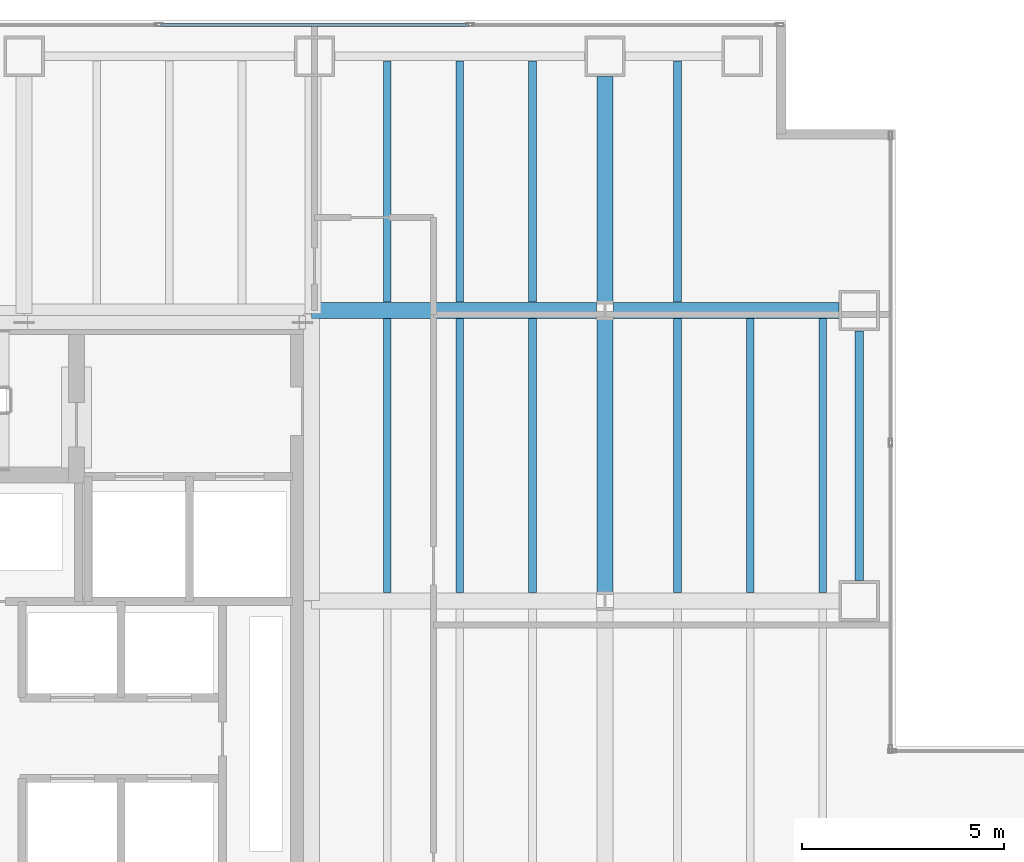
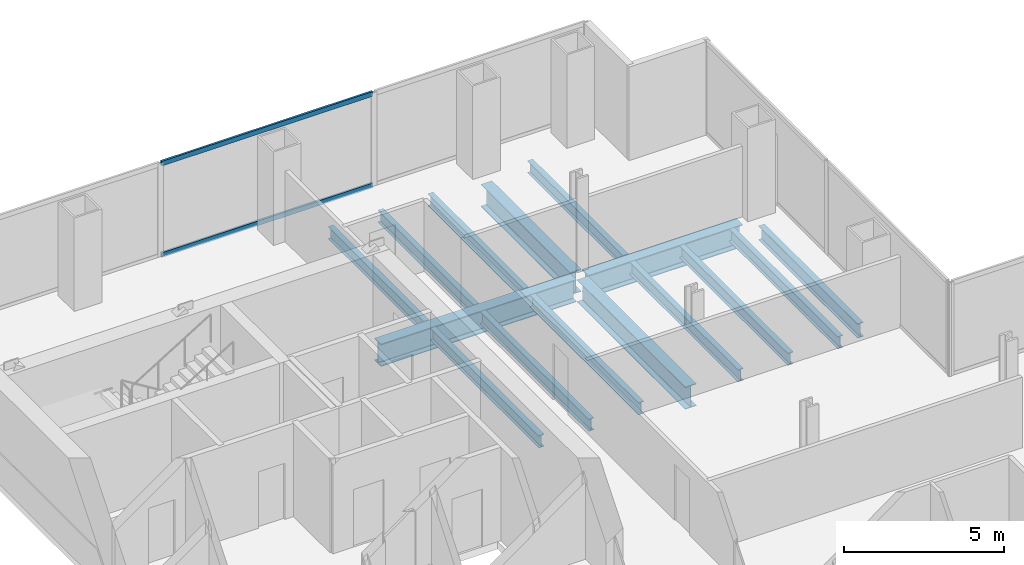
# One storey, part 17 of 25: 15 beams, 2 members, 1 element without a shape of its own.
"""IFC4 building model written with IfcOpenShell, lengths in metres."""

import ifcopenshell
import ifcopenshell.guid

model = None  # the IFC model being written
_history = None  # IfcOwnerHistory: only IFC2X3 demands one
_inside = {}  # id of a spatial element -> (the spatial element, [elements in it])
_under = {}  # id of a project, library or spatial element -> (it, [spatial elements below it])
_declared = {}  # id of a project -> (the project, [libraries it declares])
_typed = {}  # id of a type object -> (the type object, [elements of that type])
_made_of = {}  # id of a material, layer set ... -> (it, [elements and type objects made of it])


def new_model(schema):
    """Start an empty IFC model of exactly this schema.

    Asked for "IFC4X3", IfcOpenShell would pick the latest addendum, in which some entities
    have other attributes; the version numbers below select the first issue.
    IFC2X3 requires an IfcOwnerHistory on every rooted entity: one is made here for all.
    """
    global model, _history
    if schema == "IFC4X3":
        model = ifcopenshell.file(schema_version=(4, 3, 0, 0))
    else:
        model = ifcopenshell.file(schema=schema)
    _inside.clear()
    _under.clear()
    _declared.clear()
    _typed.clear()
    _made_of.clear()
    _history = None
    if model.schema == "IFC2X3":
        org = make("IfcOrganization", Name="unknown")
        user = make(
            "IfcPersonAndOrganization",
            ThePerson=make("IfcPerson", FamilyName="unknown"),
            TheOrganization=org,
        )
        app = make(
            "IfcApplication",
            ApplicationDeveloper=org,
            Version="unknown",
            ApplicationFullName="unknown",
            ApplicationIdentifier="unknown",
        )
        _history = make(
            "IfcOwnerHistory",
            OwningUser=user,
            OwningApplication=app,
            ChangeAction="ADDED",
            CreationDate=0,
        )
    return model


def make(cls, **values):
    """One entity of the class cls with the attributes given. An attribute that is None is left unset."""
    return model.create_entity(
        cls, **{name: value for name, value in values.items() if value is not None}
    )


def rooted(cls, **values):
    """An entity with a GlobalId (a new one), such as an element, a storey or a relation."""
    return make(cls, GlobalId=ifcopenshell.guid.new(), OwnerHistory=_history, **values)


def si_unit(unit_type, name, prefix=None):
    """IfcSIUnit, for example si_unit("LENGTHUNIT", "METRE", prefix="MILLI")."""
    return make("IfcSIUnit", UnitType=unit_type, Prefix=prefix, Name=name)


def assignment(units):
    """IfcUnitAssignment: the units of a project."""
    return None if units is None else make("IfcUnitAssignment", Units=units)


def point(xyz):
    """IfcCartesianPoint."""
    return None if xyz is None else make("IfcCartesianPoint", Coordinates=xyz)


def direction(xyz):
    """IfcDirection."""
    return None if xyz is None else make("IfcDirection", DirectionRatios=xyz)


def frame(location, z_axis=None, x_axis=None):
    """IfcAxis2Placement3D, a coordinate frame: its origin and axes. An axis left out is left unset."""
    return make(
        "IfcAxis2Placement3D",
        Location=point(location),
        Axis=direction(z_axis),
        RefDirection=direction(x_axis),
    )


def frame_2d(location, x_axis=None):
    """IfcAxis2Placement2D, a coordinate frame in the plane: its origin and x axis."""
    return make(
        "IfcAxis2Placement2D", Location=point(location), RefDirection=direction(x_axis)
    )


def origin():
    """The frame at (0, 0, 0) with its axes left unset."""
    return frame((0.0, 0.0, 0.0))


def origin_2d():
    """The frame at (0, 0) in the plane with its x axis left unset."""
    return frame_2d((0.0, 0.0))


def place(relative_to, where):
    """IfcLocalPlacement: puts the frame where relative to a parent placement (None: the world)."""
    return make(
        "IfcLocalPlacement", PlacementRelTo=relative_to, RelativePlacement=where
    )


def context(
    kind, dimensions, precision=None, world=None, true_north=None, identifier=None
):
    """IfcGeometricRepresentationContext, for example the 3D "Model" context."""
    return make(
        "IfcGeometricRepresentationContext",
        ContextIdentifier=identifier,
        ContextType=kind,
        CoordinateSpaceDimension=dimensions,
        Precision=precision,
        WorldCoordinateSystem=world,
        TrueNorth=true_north,
    )


def subcontext(parent, identifier, kind, view, scale=None):
    """IfcGeometricRepresentationSubContext, for example "Body" below "Model"."""
    return make(
        "IfcGeometricRepresentationSubContext",
        ContextIdentifier=identifier,
        ContextType=kind,
        ParentContext=parent,
        TargetScale=scale,
        TargetView=view,
    )


def project(units=None, contexts=None):
    """IfcProject with its units and contexts."""
    return rooted(
        "IfcProject",
        Name="project",
        RepresentationContexts=contexts,
        UnitsInContext=assignment(units),
    )


def spatial(cls, under=None, at=None, **own):
    """A site, building, storey or space (cls), placed at a placement, below another one or the project."""
    s = rooted(cls, ObjectPlacement=at, **own)
    if under is not None:
        _under.setdefault(under.id(), (under, []))[1].append(s)
    return s


def profile(cls, at=None, kind="AREA", **sizes):
    """A parametric profile (cls). Its sizes go by their IFC names, for example OverallWidth=200.0."""
    return make(cls, ProfileType=kind, Position=at, **sizes)


def hollow_rectangle(**sizes):
    """IfcRectangleHollowProfileDef."""
    return profile("IfcRectangleHollowProfileDef", **sizes)


def i_section(**sizes):
    """IfcIShapeProfileDef."""
    return profile("IfcIShapeProfileDef", **sizes)


def extrude(swept, where, along, depth):
    """IfcExtrudedAreaSolid: the profile swept, set in the frame where, extruded along a direction by depth."""
    return make(
        "IfcExtrudedAreaSolid",
        SweptArea=swept,
        Position=where,
        ExtrudedDirection=direction(along),
        Depth=depth,
    )


def shape(context_of_items, identifier, shape_type, items):
    """IfcShapeRepresentation: the items that make up one representation, for example the "Body"."""
    return make(
        "IfcShapeRepresentation",
        ContextOfItems=context_of_items,
        RepresentationIdentifier=identifier,
        RepresentationType=shape_type,
        Items=items,
    )


def material(Name=None, Category=None):
    """IfcMaterial."""
    return make("IfcMaterial", Name=Name, Category=Category)


def material_profile(
    of_material, cross_section, Name=None, Category=None, Priority=None
):
    """IfcMaterialProfile: a cross section and its material."""
    return make(
        "IfcMaterialProfile",
        Name=Name,
        Material=of_material,
        Profile=cross_section,
        Priority=Priority,
        Category=Category,
    )


def profile_set(profiles, Name=None, composite=None):
    """IfcMaterialProfileSet."""
    return make(
        "IfcMaterialProfileSet",
        Name=Name,
        MaterialProfiles=profiles,
        CompositeProfile=composite,
    )


def made_of(thing, what):
    """Note that an element or type object is made of a material, layer set ...; save() writes the relation."""
    if what is not None:
        _made_of.setdefault(what.id(), (what, []))[1].append(thing)
    return thing


def type_object(cls, material=None, **own):
    """A type object (cls), such as IfcWallType, which elements share."""
    return made_of(rooted(cls, **own), material)


def element(
    cls,
    number,
    at=None,
    inside=None,
    cuts=None,
    type_object=None,
    material=None,
    context=None,
    identifier="Body",
    shape_type=None,
    held_by="IfcProductDefinitionShape",
    body=None,
    shapes=None,
    **own,
):
    """One element of the class cls, such as IfcWall. Its Tag is "e" and its number.

    at: its placement. inside: the storey or other place that contains it. cuts: it is an
    opening in that element (IfcRelVoidsElement). A single representation is given by context,
    identifier, shape_type and body (its items); several are given by shapes. held_by: the class
    of the entity that holds the representations. save() writes the other relations.
    """
    e = rooted(cls, Tag="e%d" % number, ObjectPlacement=at, **own)
    if body is not None:
        shapes = [shape(context, identifier, shape_type, body)]
    if shapes is not None:
        e.Representation = make(held_by, Representations=shapes)
    if inside is not None:
        _inside.setdefault(inside.id(), (inside, []))[1].append(e)
    if cuts is not None:
        rooted(
            "IfcRelVoidsElement", RelatingBuildingElement=cuts, RelatedOpeningElement=e
        )
    if type_object is not None:
        _typed.setdefault(type_object.id(), (type_object, []))[1].append(e)
    return made_of(e, material)


def aggregate(whole, parts):
    """IfcRelAggregates: a whole, such as a stair, and the parts it consists of."""
    return rooted("IfcRelAggregates", RelatingObject=whole, RelatedObjects=parts)


def save(model, path):
    """Write the relations noted so far, then the file.

    IfcRelAggregates (storeys below a building ...), IfcRelContainedInSpatialStructure (elements
    in a storey), IfcRelDefinesByType, IfcRelAssociatesMaterial and IfcRelDeclares: one each for
    every whole, place, type object, material and project.
    """
    for whole, parts in _under.values():
        aggregate(whole, parts)
    for where, things in _inside.values():
        rooted(
            "IfcRelContainedInSpatialStructure",
            RelatedElements=things,
            RelatingStructure=where,
        )
    for kind, things in _typed.values():
        rooted("IfcRelDefinesByType", RelatedObjects=things, RelatingType=kind)
    for what, things in _made_of.values():
        rooted("IfcRelAssociatesMaterial", RelatedObjects=things, RelatingMaterial=what)
    for by, libraries in _declared.values():
        rooted("IfcRelDeclares", RelatingContext=by, RelatedDefinitions=libraries)
    model.write(path)


model = new_model("IFC4")

# Units and contexts
model_context = context("Model", 3, precision=1e-05, world=origin(), true_north=direction((0.0, 1.0)))
body_context = subcontext(model_context, "Body", "Model", "MODEL_VIEW")
ifc_project = project(units=[si_unit("LENGTHUNIT", "METRE"), si_unit("AREAUNIT", "SQUARE_METRE"), si_unit("VOLUMEUNIT", "CUBIC_METRE"), si_unit("PLANEANGLEUNIT", "RADIAN"), si_unit("MASSUNIT", "GRAM", prefix="KILO")], contexts=[model_context])

# Site, building, storey
site_placement = place(None, origin())
site = spatial("IfcSite", under=ifc_project, at=site_placement, CompositionType="ELEMENT")
building_placement = place(site_placement, origin())
building = spatial("IfcBuilding", under=site, at=building_placement, Name="Cobrela Telecom Tower", CompositionType="ELEMENT")
storey_placement = place(building_placement, frame((0.0, 0.0, 61.949951171875)))
storey = spatial("IfcBuildingStorey", under=building, at=storey_placement, Name="L15", CompositionType="ELEMENT", Elevation=61.949951171875)

# Beams
ifc_material_1 = material(Name="Steel ASTM A992 Grade 50", Category="steel")
ifc_material_profile_1 = material_profile(ifc_material_1, i_section(OverallWidth=0.39892578125, OverallDepth=0.85595703125, WebThickness=0.018310546875, FlangeThickness=0.029296875, FilletRadius=0.02001953125, at=origin_2d()), Name="W33X201")
ifc_profile_set_1 = profile_set([ifc_material_profile_1], Name="Steel ASTM A992 Grade 50")
beam_type_1 = type_object("IfcBeamType", Name="BM-GIRD-03", PredefinedType="USERDEFINED", material=ifc_profile_set_1)
beam_1_placement = place(storey_placement, frame((14.324951171875, 36.0, -0.7080078125), z_axis=(1.0, 0.0, 0.0), x_axis=(0.0, 1.0, 0.0)))
element("IfcBeam", 1, at=beam_1_placement, inside=storey, type_object=beam_type_1, Name="L15 Primary Girder X27", ObjectType="GIRDER", PredefinedType="USERDEFINED", context=body_context, shape_type="SweptSolid", body=[
    extrude(i_section(OverallWidth=0.39892578125, OverallDepth=0.85595703125, WebThickness=0.018310546875, FlangeThickness=0.029296875, FilletRadius=0.02001953125, at=origin_2d()), origin(), (0.0, 0.0, 1.0), 7.05908203125),
])
beam_2_placement = place(storey_placement, frame((21.81591796875, 36.0, -0.7080078125), z_axis=(1.0, 0.0, 0.0), x_axis=(0.0, 1.0, 0.0)))
element("IfcBeam", 2, at=beam_2_placement, inside=storey, type_object=beam_type_1, Name="L15 Primary Girder X28", ObjectType="GIRDER", PredefinedType="USERDEFINED", context=body_context, shape_type="SweptSolid", body=[
    extrude(i_section(OverallWidth=0.39892578125, OverallDepth=0.85595703125, WebThickness=0.018310546875, FlangeThickness=0.029296875, FilletRadius=0.02001953125, at=origin_2d()), origin(), (0.0, 0.0, 1.0), 5.5791015625),
])
beam_3_placement = place(storey_placement, frame((21.60009765625, 29.01611328125, -0.7080078125), z_axis=(0.0, 1.0, 0.0), x_axis=(-1.0, 0.0, 0.0)))
element("IfcBeam", 3, at=beam_3_placement, inside=storey, type_object=beam_type_1, Name="L15 Primary Girder Y44", ObjectType="GIRDER", PredefinedType="USERDEFINED", context=body_context, shape_type="SweptSolid", body=[
    extrude(i_section(OverallWidth=0.39892578125, OverallDepth=0.85595703125, WebThickness=0.018310546875, FlangeThickness=0.029296875, FilletRadius=0.02001953125, at=origin_2d()), origin(), (0.0, 0.0, 1.0), 6.767822265625),
])
beam_4_placement = place(storey_placement, frame((21.60009765625, 36.216064453125, -0.7080078125), z_axis=(0.0, 1.0, 0.0), x_axis=(-1.0, 0.0, 0.0)))
element("IfcBeam", 4, at=beam_4_placement, inside=storey, type_object=beam_type_1, Name="L15 Primary Girder Y45", ObjectType="GIRDER", PredefinedType="USERDEFINED", context=body_context, shape_type="SweptSolid", body=[
    extrude(i_section(OverallWidth=0.39892578125, OverallDepth=0.85595703125, WebThickness=0.018310546875, FlangeThickness=0.029296875, FilletRadius=0.02001953125, at=origin_2d()), origin(), (0.0, 0.0, 1.0), 5.578857421875),
])
ifc_material_profile_2 = material_profile(ifc_material_1, i_section(OverallWidth=0.193115234375, OverallDepth=0.467041015625, WebThickness=0.011474609375, FlangeThickness=0.01904296875, FilletRadius=0.012939453125, at=origin_2d()), Name="W18X65")
ifc_profile_set_2 = profile_set([ifc_material_profile_2], Name="Steel ASTM A992 Grade 50")
beam_type_2 = type_object("IfcBeamType", Name="BM-JOIST-03", PredefinedType="JOIST", material=ifc_profile_set_2)
beam_5_placement = place(storey_placement, frame((16.199951171875, 29.00439453125, -0.513427734375), z_axis=(0.0, 1.0, 0.0), x_axis=(-1.0, 0.0, 0.0)))
element("IfcBeam", 5, at=beam_5_placement, inside=storey, type_object=beam_type_2, Name="L15 Secondary Composite Floor Beam J11", PredefinedType="JOIST", context=body_context, shape_type="SweptSolid", body=[
    extrude(i_section(OverallWidth=0.193115234375, OverallDepth=0.467041015625, WebThickness=0.011474609375, FlangeThickness=0.01904296875, FilletRadius=0.012939453125, at=origin_2d()), origin(), (0.0, 0.0, 1.0), 6.791015625),
])
beam_6_placement = place(storey_placement, frame((16.199951171875, 36.20458984375, -0.513427734375), z_axis=(0.0, 1.0, 0.0), x_axis=(-1.0, 0.0, 0.0)))
element("IfcBeam", 6, at=beam_6_placement, inside=storey, type_object=beam_type_2, Name="L15 Secondary Composite Floor Beam J12", PredefinedType="JOIST", context=body_context, shape_type="SweptSolid", body=[
    extrude(i_section(OverallWidth=0.193115234375, OverallDepth=0.467041015625, WebThickness=0.011474609375, FlangeThickness=0.01904296875, FilletRadius=0.012939453125, at=origin_2d()), origin(), (0.0, 0.0, 1.0), 5.98388671875),
])
beam_7_placement = place(storey_placement, frame((18.0, 29.00439453125, -0.513427734375), z_axis=(0.0, 1.0, 0.0), x_axis=(-1.0, 0.0, 0.0)))
element("IfcBeam", 7, at=beam_7_placement, inside=storey, type_object=beam_type_2, Name="L15 Secondary Composite Floor Beam J17", PredefinedType="JOIST", context=body_context, shape_type="SweptSolid", body=[
    extrude(i_section(OverallWidth=0.193115234375, OverallDepth=0.467041015625, WebThickness=0.011474609375, FlangeThickness=0.01904296875, FilletRadius=0.012939453125, at=origin_2d()), origin(), (0.0, 0.0, 1.0), 6.791015625),
])
beam_8_placement = place(storey_placement, frame((18.0, 36.20458984375, -0.513427734375), z_axis=(0.0, 1.0, 0.0), x_axis=(-1.0, 0.0, 0.0)))
element("IfcBeam", 8, at=beam_8_placement, inside=storey, type_object=beam_type_2, Name="L15 Secondary Composite Floor Beam J18", PredefinedType="JOIST", context=body_context, shape_type="SweptSolid", body=[
    extrude(i_section(OverallWidth=0.193115234375, OverallDepth=0.467041015625, WebThickness=0.011474609375, FlangeThickness=0.01904296875, FilletRadius=0.012939453125, at=origin_2d()), origin(), (0.0, 0.0, 1.0), 5.98388671875),
])
beam_9_placement = place(storey_placement, frame((19.800048828125, 29.00439453125, -0.513427734375), z_axis=(0.0, 1.0, 0.0), x_axis=(-1.0, 0.0, 0.0)))
element("IfcBeam", 9, at=beam_9_placement, inside=storey, type_object=beam_type_2, Name="L15 Secondary Composite Floor Beam J23", PredefinedType="JOIST", context=body_context, shape_type="SweptSolid", body=[
    extrude(i_section(OverallWidth=0.193115234375, OverallDepth=0.467041015625, WebThickness=0.011474609375, FlangeThickness=0.01904296875, FilletRadius=0.012939453125, at=origin_2d()), origin(), (0.0, 0.0, 1.0), 6.791015625),
])
beam_10_placement = place(storey_placement, frame((19.800048828125, 36.20458984375, -0.513427734375), z_axis=(0.0, 1.0, 0.0), x_axis=(-1.0, 0.0, 0.0)))
element("IfcBeam", 10, at=beam_10_placement, inside=storey, type_object=beam_type_2, Name="L15 Secondary Composite Floor Beam J24", PredefinedType="JOIST", context=body_context, shape_type="SweptSolid", body=[
    extrude(i_section(OverallWidth=0.193115234375, OverallDepth=0.467041015625, WebThickness=0.011474609375, FlangeThickness=0.01904296875, FilletRadius=0.012939453125, at=origin_2d()), origin(), (0.0, 0.0, 1.0), 5.98388671875),
])
beam_11_placement = place(storey_placement, frame((23.39990234375, 29.00439453125, -0.513427734375), z_axis=(0.0, 1.0, 0.0), x_axis=(-1.0, 0.0, 0.0)))
element("IfcBeam", 11, at=beam_11_placement, inside=storey, type_object=beam_type_2, Name="L15 Secondary Composite Floor Beam J29", PredefinedType="JOIST", context=body_context, shape_type="SweptSolid", body=[
    extrude(i_section(OverallWidth=0.193115234375, OverallDepth=0.467041015625, WebThickness=0.011474609375, FlangeThickness=0.01904296875, FilletRadius=0.012939453125, at=origin_2d()), origin(), (0.0, 0.0, 1.0), 6.791015625),
])
beam_12_placement = place(storey_placement, frame((23.39990234375, 36.20458984375, -0.513427734375), z_axis=(0.0, 1.0, 0.0), x_axis=(-1.0, 0.0, 0.0)))
element("IfcBeam", 12, at=beam_12_placement, inside=storey, type_object=beam_type_2, Name="L15 Secondary Composite Floor Beam J30", PredefinedType="JOIST", context=body_context, shape_type="SweptSolid", body=[
    extrude(i_section(OverallWidth=0.193115234375, OverallDepth=0.467041015625, WebThickness=0.011474609375, FlangeThickness=0.01904296875, FilletRadius=0.012939453125, at=origin_2d()), origin(), (0.0, 0.0, 1.0), 5.98388671875),
])
for number, where, z_axis, x_axis, name in (
    (13, (25.199951171875, 29.00439453125, -0.513427734375), (0.0, 1.0, 0.0), (-1.0, 0.0, 0.0), "L15 Secondary Composite Floor Beam J35"),
    (14, (27.0, 29.00439453125, -0.513427734375), (0.0, 1.0, 0.0), (-1.0, 0.0, 0.0), "L15 Secondary Composite Floor Beam J40"),
):
    element("IfcBeam", number, at=place(storey_placement, frame(where, z_axis=z_axis, x_axis=x_axis)), inside=storey, type_object=beam_type_2, Name=name, PredefinedType="JOIST", context=body_context, shape_type="SweptSolid", body=[
        extrude(i_section(OverallWidth=0.193115234375, OverallDepth=0.467041015625, WebThickness=0.011474609375, FlangeThickness=0.01904296875, FilletRadius=0.012939453125, at=origin_2d()), origin(), (0.0, 0.0, 1.0), 6.791015625),
    ])
ifc_material_profile_3 = material_profile(ifc_material_1, i_section(OverallWidth=0.212890625, OverallDepth=0.549072265625, WebThickness=0.0146484375, FlangeThickness=0.023681640625, FilletRadius=0.013916015625, at=origin_2d()), Name="W21X93")
ifc_profile_set_3 = profile_set([ifc_material_profile_3], Name="Steel ASTM A992 Grade 50")
beam_type_3 = type_object("IfcBeamType", Name="BM-SPAND-03", PredefinedType="SPANDREL", material=ifc_profile_set_3)
beam_13_placement = place(storey_placement, frame((27.89990234375, 29.304931640625, -0.554443359375), z_axis=(0.0, 1.0, 0.0), x_axis=(-1.0, 0.0, 0.0)))
element("IfcBeam", 15, at=beam_13_placement, inside=storey, type_object=beam_type_3, Name="L15 Perimeter Spandrel Y46", PredefinedType="SPANDREL", context=body_context, shape_type="SweptSolid", body=[
    extrude(i_section(OverallWidth=0.212890625, OverallDepth=0.549072265625, WebThickness=0.0146484375, FlangeThickness=0.023681640625, FilletRadius=0.013916015625, at=origin_2d()), origin(), (0.0, 0.0, 1.0), 6.190185546875),
])

# Curtain wall, members
ifc_material_2 = material(Name="Anodized Bronze Aluminium 6063-T6", Category="aluminium")
curtain_wall_type = type_object("IfcCurtainWallType", Name="CW-SYS-DATA", PredefinedType="USERDEFINED", material=ifc_material_2)
curtain_wall_placement = place(storey_placement, origin())
curtain_wall = element("IfcCurtainWall", 16, at=curtain_wall_placement, inside=storey, type_object=curtain_wall_type, Name="L15 Unitised Bronze Curtain Wall 07", ObjectType="UNITISED CURTAIN WALL", PredefinedType="USERDEFINED")
ifc_material_profile_4 = material_profile(ifc_material_2, hollow_rectangle(XDim=0.074951171875, YDim=0.179931640625, WallThickness=0.00390625, at=origin_2d()), Name="ALU 75x180x4")
ifc_profile_set_4 = profile_set([ifc_material_profile_4], Name="Anodized Bronze Aluminium 6063-T6")
member_type = type_object("IfcMemberType", Name="CW-SYS-DATA-TRN", PredefinedType="USERDEFINED", material=ifc_profile_set_4)
member_1_placement = place(storey_placement, frame((10.583251953125, 43.080078125, 0.03759765625), z_axis=(1.0, 0.0, 0.0), x_axis=(0.0, 1.0, 0.0)))
member_1 = element("IfcMember", 17, at=member_1_placement, type_object=member_type, Name="CW-DATA transom 2.1", ObjectType="TRANSOM", PredefinedType="USERDEFINED", context=body_context, shape_type="SweptSolid", body=[
    extrude(hollow_rectangle(XDim=0.074951171875, YDim=0.179931640625, WallThickness=0.00390625, at=origin_2d()), origin(), (0.0, 0.0, 1.0), 7.63330078125),
])
member_2_placement = place(storey_placement, frame((10.583251953125, 43.080078125, 3.532470703125), z_axis=(1.0, 0.0, 0.0), x_axis=(0.0, 1.0, 0.0)))
member_2 = element("IfcMember", 18, at=member_2_placement, type_object=member_type, Name="CW-DATA transom 2.2", ObjectType="TRANSOM", PredefinedType="USERDEFINED", context=body_context, shape_type="SweptSolid", body=[
    extrude(hollow_rectangle(XDim=0.074951171875, YDim=0.179931640625, WallThickness=0.00390625, at=origin_2d()), origin(), (0.0, 0.0, 1.0), 7.63330078125),
])
aggregate(curtain_wall, [member_1, member_2])

save(model, "model.ifc")
